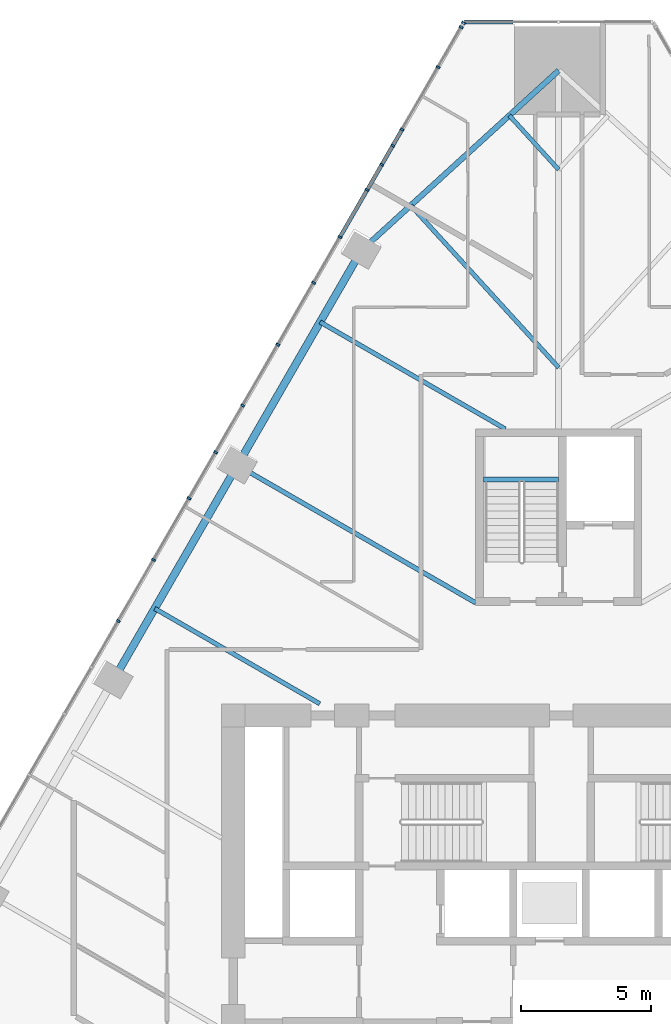
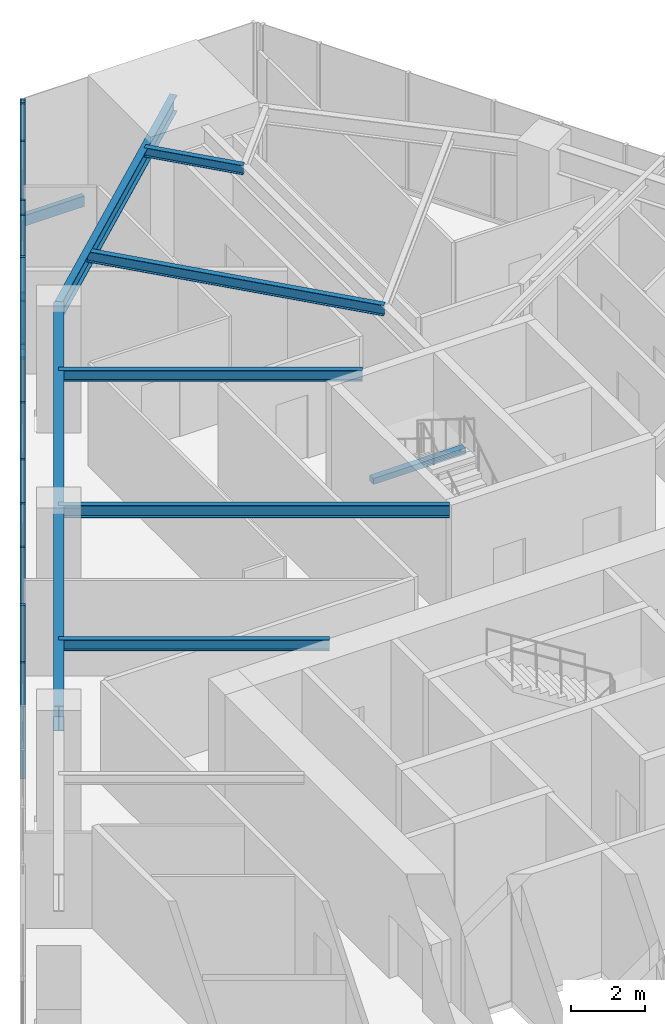
# One storey, part 8 of 29: 17 members, 8 beams, 2 elements without a shape of their own.
"""IFC4 building model written with IfcOpenShell, lengths in metres."""

from ifc_helpers import new_model, si_unit, direction, frame, origin, origin_2d, place, context, subcontext, project, spatial, rectangle, i_section, extrude, material, layer, layer_set, material_profile, profile_set, type_object, element, aggregate, save


model = new_model("IFC4")

# Units and contexts
model_context = context("Model", 3, precision=1e-05, world=origin(), true_north=direction((0.0, 1.0)))
body_context = subcontext(model_context, "Body", "Model", "MODEL_VIEW")
ifc_project = project(units=[si_unit("LENGTHUNIT", "METRE"), si_unit("AREAUNIT", "SQUARE_METRE"), si_unit("VOLUMEUNIT", "CUBIC_METRE"), si_unit("PLANEANGLEUNIT", "RADIAN"), si_unit("MASSUNIT", "GRAM", prefix="KILO")], contexts=[model_context])

# Site, building, storey
site_placement = place(None, origin())
site = spatial("IfcSite", under=ifc_project, at=site_placement, CompositionType="ELEMENT")
building_placement = place(site_placement, origin())
building = spatial("IfcBuilding", under=site, at=building_placement, Name="Firuza Gate Tower and Library", CompositionType="ELEMENT")
storey_placement = place(building_placement, frame((0.0, 0.0, 48.39990234375)))
storey = spatial("IfcBuildingStorey", under=building, at=storey_placement, Name="L10", CompositionType="ELEMENT", Elevation=48.39990234375)

# Curtain wall, members
ifc_material_1 = material(Name="Aluminium 6063-T6", Category="aluminium")
ifc_layer_1 = layer(ifc_material_1, 0.14990234375)
ifc_layer_set_1 = layer_set([ifc_layer_1], Name="Unitised curtain wall, offices")
curtain_wall_type_1 = type_object("IfcCurtainWallType", Name="Unitised curtain wall, offices", PredefinedType="NOTDEFINED", material=ifc_layer_set_1)
placement = place(storey_placement, origin())
curtain_wall_1 = element("IfcCurtainWall", 1, at=placement, inside=storey, type_object=curtain_wall_type_1, Name="CW1 L10 W face", PredefinedType="NOTDEFINED")
ifc_material_2 = material(Name="Aluminium 6063-T6", Category="aluminium")
ifc_material_profile_1 = material_profile(ifc_material_2, rectangle(XDim=0.14990234375, YDim=0.080078125, at=origin_2d()))
ifc_profile_set_1 = profile_set([ifc_material_profile_1], Name="Aluminium 6063-T6")
member_type_1 = type_object("IfcMemberType", Name="Curtain wall mullion 80x150", PredefinedType="MULLION", material=ifc_profile_set_1)
member_1_placement = place(storey_placement, frame((71.336669921875, 110.2607421875, 0.150146484375), z_axis=(0.0, 0.0, 1.0), x_axis=(0.866025403784, -0.5, 0.0)))
member_1 = element("IfcMember", 2, at=member_1_placement, type_object=member_type_1, Name="Mullion", PredefinedType="MULLION", context=body_context, shape_type="SweptSolid", body=[
    extrude(rectangle(XDim=0.14990234375, YDim=0.080078125, at=origin_2d()), origin(), (0.0, 0.0, 1.0), 3.849853515625),
])
member_2_placement = place(storey_placement, frame((68.961181640625, 106.146240234375, 0.150146484375), z_axis=(0.0, 0.0, 1.0), x_axis=(0.866025403784, -0.5, 0.0)))
member_2 = element("IfcMember", 3, at=member_2_placement, type_object=member_type_1, Name="Mullion", PredefinedType="MULLION", context=body_context, shape_type="SweptSolid", body=[
    extrude(rectangle(XDim=0.14990234375, YDim=0.080078125, at=origin_2d()), origin(), (0.0, 0.0, 1.0), 3.849853515625),
])
member_3_placement = place(storey_placement, frame((66.56591796875, 101.997314453125, 0.150146484375), z_axis=(0.0, 0.0, 1.0), x_axis=(0.866025403784, -0.5, 0.0)))
member_3 = element("IfcMember", 4, at=member_3_placement, type_object=member_type_1, Name="Mullion", PredefinedType="MULLION", context=body_context, shape_type="SweptSolid", body=[
    extrude(rectangle(XDim=0.14990234375, YDim=0.080078125, at=origin_2d()), origin(), (0.0, 0.0, 1.0), 3.849853515625),
])
member_4_placement = place(storey_placement, frame((64.17041015625, 97.848388671875, 0.150146484375), z_axis=(0.0, 0.0, 1.0), x_axis=(0.866025403784, -0.5, 0.0)))
member_4 = element("IfcMember", 5, at=member_4_placement, type_object=member_type_1, Name="Mullion", PredefinedType="MULLION", context=body_context, shape_type="SweptSolid", body=[
    extrude(rectangle(XDim=0.14990234375, YDim=0.080078125, at=origin_2d()), origin(), (0.0, 0.0, 1.0), 3.849853515625),
])
member_5_placement = place(storey_placement, frame((61.775146484375, 93.699462890625, 0.150146484375), z_axis=(0.0, 0.0, 1.0), x_axis=(0.866025403784, -0.5, 0.0)))
member_5 = element("IfcMember", 6, at=member_5_placement, type_object=member_type_1, Name="Mullion", PredefinedType="MULLION", context=body_context, shape_type="SweptSolid", body=[
    extrude(rectangle(XDim=0.14990234375, YDim=0.080078125, at=origin_2d()), origin(), (0.0, 0.0, 1.0), 3.849853515625),
])
member_6_placement = place(storey_placement, frame((59.379638671875, 89.55029296875, 0.150146484375), z_axis=(0.0, 0.0, 1.0), x_axis=(0.866025403784, -0.5, 0.0)))
member_6 = element("IfcMember", 7, at=member_6_placement, type_object=member_type_1, Name="Mullion", PredefinedType="MULLION", context=body_context, shape_type="SweptSolid", body=[
    extrude(rectangle(XDim=0.14990234375, YDim=0.080078125, at=origin_2d()), origin(), (0.0, 0.0, 1.0), 3.849853515625),
])
member_7_placement = place(storey_placement, frame((71.240234375, 110.09375, 0.150146484375), z_axis=(0.0, 0.0, 1.0), x_axis=(0.866025403784, -0.5, 0.0)))
member_7 = element("IfcMember", 8, at=member_7_placement, type_object=member_type_1, Name="Mullion", PredefinedType="MULLION", context=body_context, shape_type="SweptSolid", body=[
    extrude(rectangle(XDim=0.14990234375, YDim=0.080078125, at=origin_2d()), origin(), (0.0, 0.0, 1.0), 3.849853515625),
])
member_8_placement = place(storey_placement, frame((70.35107421875, 108.5537109375, 0.150146484375), z_axis=(0.0, 0.0, 1.0), x_axis=(0.866025403784, -0.5, 0.0)))
member_8 = element("IfcMember", 9, at=member_8_placement, type_object=member_type_1, Name="Mullion", PredefinedType="MULLION", context=body_context, shape_type="SweptSolid", body=[
    extrude(rectangle(XDim=0.14990234375, YDim=0.080078125, at=origin_2d()), origin(), (0.0, 0.0, 1.0), 3.849853515625),
])
member_9_placement = place(storey_placement, frame((68.1787109375, 104.790771484375, 0.150146484375), z_axis=(0.0, 0.0, 1.0), x_axis=(0.866025403784, -0.5, 0.0)))
member_9 = element("IfcMember", 10, at=member_9_placement, type_object=member_type_1, Name="Mullion", PredefinedType="MULLION", context=body_context, shape_type="SweptSolid", body=[
    extrude(rectangle(XDim=0.14990234375, YDim=0.080078125, at=origin_2d()), origin(), (0.0, 0.0, 1.0), 1.885009765625),
])
member_10_placement = place(storey_placement, frame((68.60400390625, 105.52734375, 2.114990234375), z_axis=(0.0, 0.0, 1.0), x_axis=(0.866025403784, -0.5, 0.0)))
member_10 = element("IfcMember", 11, at=member_10_placement, type_object=member_type_1, Name="Mullion", PredefinedType="MULLION", context=body_context, shape_type="SweptSolid", body=[
    extrude(rectangle(XDim=0.14990234375, YDim=0.080078125, at=origin_2d()), origin(), (0.0, 0.0, 1.0), 1.885009765625),
])
member_11_placement = place(storey_placement, frame((67.6171875, 103.818359375, 2.114990234375), z_axis=(0.0, 0.0, 1.0), x_axis=(0.866025403784, -0.5, 0.0)))
member_11 = element("IfcMember", 12, at=member_11_placement, type_object=member_type_1, Name="Mullion", PredefinedType="MULLION", context=body_context, shape_type="SweptSolid", body=[
    extrude(rectangle(XDim=0.14990234375, YDim=0.080078125, at=origin_2d()), origin(), (0.0, 0.0, 1.0), 1.885009765625),
])
member_12_placement = place(storey_placement, frame((65.551025390625, 100.23974609375, 0.150146484375), z_axis=(0.0, 0.0, 1.0), x_axis=(0.866025403784, -0.5, 0.0)))
member_12 = element("IfcMember", 13, at=member_12_placement, type_object=member_type_1, Name="Mullion", PredefinedType="MULLION", context=body_context, shape_type="SweptSolid", body=[
    extrude(rectangle(XDim=0.14990234375, YDim=0.080078125, at=origin_2d()), origin(), (0.0, 0.0, 1.0), 3.849853515625),
])
member_13_placement = place(storey_placement, frame((62.8173828125, 95.504638671875, 0.150146484375), z_axis=(0.0, 0.0, 1.0), x_axis=(0.866025403784, -0.5, 0.0)))
member_13 = element("IfcMember", 14, at=member_13_placement, type_object=member_type_1, Name="Mullion", PredefinedType="MULLION", context=body_context, shape_type="SweptSolid", body=[
    extrude(rectangle(XDim=0.14990234375, YDim=0.080078125, at=origin_2d()), origin(), (0.0, 0.0, 1.0), 3.849853515625),
])
member_14_placement = place(storey_placement, frame((60.751220703125, 91.926025390625, 0.150146484375), z_axis=(0.0, 0.0, 1.0), x_axis=(0.866025403784, -0.5, 0.0)))
member_14 = element("IfcMember", 15, at=member_14_placement, type_object=member_type_1, Name="Mullion", PredefinedType="MULLION", context=body_context, shape_type="SweptSolid", body=[
    extrude(rectangle(XDim=0.14990234375, YDim=0.080078125, at=origin_2d()), origin(), (0.0, 0.0, 1.0), 3.849853515625),
])
member_15_placement = place(storey_placement, frame((58.017333984375, 87.190673828125, 0.150146484375), z_axis=(0.0, 0.0, 1.0), x_axis=(0.866025403784, -0.5, 0.0)))
member_15 = element("IfcMember", 16, at=member_15_placement, type_object=member_type_1, Name="Mullion", PredefinedType="MULLION", context=body_context, shape_type="SweptSolid", body=[
    extrude(rectangle(XDim=0.14990234375, YDim=0.080078125, at=origin_2d()), origin(), (0.0, 0.0, 1.0), 3.849853515625),
])

# Curtain wall, member
ifc_material_3 = material(Name="Aluminium 6063-T6", Category="aluminium")
ifc_layer_2 = layer(ifc_material_3, 0.14990234375)
ifc_layer_set_2 = layer_set([ifc_layer_2], Name="Corner curtain wall, chamfers")
curtain_wall_type_2 = type_object("IfcCurtainWallType", Name="Corner curtain wall, chamfers", PredefinedType="NOTDEFINED", material=ifc_layer_set_2)
curtain_wall_2 = element("IfcCurtainWall", 17, at=placement, inside=storey, type_object=curtain_wall_type_2, Name="CW4 L10 N corner", PredefinedType="NOTDEFINED")
ifc_material_4 = material(Name="Aluminium 6063-T6", Category="aluminium")
ifc_material_profile_2 = material_profile(ifc_material_4, rectangle(XDim=0.14990234375, YDim=0.35009765625, at=origin_2d()))
ifc_profile_set_2 = profile_set([ifc_material_profile_2], Name="Aluminium 6063-T6")
member_type_2 = type_object("IfcMemberType", Name="Curtain wall transom 350x150", PredefinedType="USERDEFINED", material=ifc_profile_set_2)
member_16_placement = place(storey_placement, frame((73.248779296875, 110.29541015625, -0.02490234375), z_axis=(-1.0, 0.0, 0.0), x_axis=(0.0, -1.0, 0.0)))
member_16 = element("IfcMember", 18, at=member_16_placement, type_object=member_type_2, Name="Transom", ObjectType="TRANSOM", PredefinedType="USERDEFINED", context=body_context, shape_type="SweptSolid", body=[
    extrude(rectangle(XDim=0.14990234375, YDim=0.35009765625, at=origin_2d()), origin(), (0.0, 0.0, 1.0), 1.89208984375),
])
aggregate(curtain_wall_2, [member_16])

# Member
ifc_material_5 = material(Name="Aluminium 6063-T6", Category="aluminium")
ifc_material_profile_3 = material_profile(ifc_material_5, rectangle(XDim=0.14990234375, YDim=0.080078125, at=origin_2d()))
ifc_profile_set_3 = profile_set([ifc_material_profile_3], Name="Aluminium 6063-T6")
member_type_3 = type_object("IfcMemberType", Name="Curtain wall transom 80x150", PredefinedType="USERDEFINED", material=ifc_profile_set_3)
member_17_placement = place(storey_placement, frame((68.941162109375, 106.111572265625, 2.0751953125), z_axis=(-0.499979670606, -0.866037140647, 0.0), x_axis=(0.866037140647, -0.499979670606, 0.0)))
member_17 = element("IfcMember", 19, at=member_17_placement, type_object=member_type_3, Name="Transom", ObjectType="TRANSOM", PredefinedType="USERDEFINED", context=body_context, shape_type="SweptSolid", body=[
    extrude(rectangle(XDim=0.14990234375, YDim=0.080078125, at=origin_2d()), origin(), (0.0, 0.0, 1.0), 4.710693359375),
])

aggregate(curtain_wall_1, [member_1, member_2, member_3, member_4, member_5, member_6, member_7, member_8, member_9, member_10, member_11, member_17, member_12, member_13, member_14, member_15])

# Beams
ifc_material_6 = material(Name="Concrete C35/45", Category="concrete")
ifc_material_profile_4 = material_profile(ifc_material_6, rectangle(XDim=0.199951171875, YDim=0.199951171875, at=origin_2d()))
ifc_profile_set_4 = profile_set([ifc_material_profile_4], Name="Concrete C35/45")
beam_type_1 = type_object("IfcBeamType", Name="Stair landing bearer 200x200", PredefinedType="BEAM", material=ifc_profile_set_4)
beam_1_placement = place(storey_placement, frame((75.0, 92.64990234375, 1.800048828125), z_axis=(-1.0, 0.0, 0.0), x_axis=(0.0, -1.0, 0.0)))
element("IfcBeam", 20, at=beam_1_placement, inside=storey, type_object=beam_type_1, Name="Landing bearer L10 stair 3", PredefinedType="BEAM", context=body_context, shape_type="SweptSolid", body=[
    extrude(rectangle(XDim=0.199951171875, YDim=0.199951171875, at=origin_2d()), origin(), (0.0, 0.0, 1.0), 2.89990234375),
])
ifc_material_7 = material(Name="Steel S355", Category="steel")
ifc_material_profile_5 = material_profile(ifc_material_7, i_section(OverallWidth=0.1650390625, OverallDepth=0.31005859375, WebThickness=0.005859375, FlangeThickness=0.009765625, at=origin_2d()))
ifc_profile_set_5 = profile_set([ifc_material_profile_5], Name="Steel S355")
beam_type_2 = type_object("IfcBeamType", Name="W310x39 Floor beam", PredefinedType="JOIST", material=ifc_profile_set_5)
beam_2_placement = place(storey_placement, frame((73.098876953125, 106.6865234375, 3.84521484375), z_axis=(0.673865036235, -0.738854459917, 0.0), x_axis=(0.738854459917, 0.673865036235, 0.0)))
element("IfcBeam", 21, at=beam_2_placement, inside=storey, type_object=beam_type_2, Name="Floor beam L10 s70", PredefinedType="JOIST", context=body_context, shape_type="SweptSolid", body=[
    extrude(i_section(OverallWidth=0.1650390625, OverallDepth=0.31005859375, WebThickness=0.005859375, FlangeThickness=0.009765625, at=origin_2d()), origin(), (0.0, 0.0, 1.0), 2.8212890625),
])
ifc_material_8 = material(Name="Steel S355", Category="steel")
ifc_material_profile_6 = material_profile(ifc_material_8, i_section(OverallWidth=0.1708984375, OverallDepth=0.35498046875, WebThickness=0.007080078125, FlangeThickness=0.01171875, at=origin_2d()))
ifc_profile_set_6 = profile_set([ifc_material_profile_6], Name="Steel S355")
beam_type_3 = type_object("IfcBeamType", Name="W360x51 Floor beam", PredefinedType="JOIST", material=ifc_profile_set_6)
beam_3_placement = place(storey_placement, frame((69.296875, 103.21875, 3.822509765625), z_axis=(0.673863651071, -0.73885572324, 0.0), x_axis=(0.73885572324, 0.673863651071, 0.0)))
element("IfcBeam", 22, at=beam_3_placement, inside=storey, type_object=beam_type_3, Name="Floor beam L10 s71", PredefinedType="JOIST", context=body_context, shape_type="SweptSolid", body=[
    extrude(i_section(OverallWidth=0.1708984375, OverallDepth=0.35498046875, WebThickness=0.007080078125, FlangeThickness=0.01171875, at=origin_2d()), origin(), (0.0, 0.0, 1.0), 8.46337890625),
])
beam_4_placement = place(storey_placement, frame((65.80126953125, 98.72314453125, 3.822509765625), z_axis=(0.866026336112, -0.499998385158, 0.0), x_axis=(0.499998385158, 0.866026336112, 0.0)))
element("IfcBeam", 23, at=beam_4_placement, inside=storey, type_object=beam_type_3, Name="Floor beam L10 s80", PredefinedType="JOIST", context=body_context, shape_type="SweptSolid", body=[
    extrude(i_section(OverallWidth=0.1708984375, OverallDepth=0.35498046875, WebThickness=0.007080078125, FlangeThickness=0.01171875, at=origin_2d()), origin(), (0.0, 0.0, 1.0), 8.24609375),
])
beam_5_placement = place(storey_placement, frame((59.423095703125, 87.67578125, 3.822509765625), z_axis=(0.866027421574, -0.49999650507, 0.0), x_axis=(0.49999650507, 0.866027421574, 0.0)))
element("IfcBeam", 24, at=beam_5_placement, inside=storey, type_object=beam_type_3, Name="Floor beam L10 s82", PredefinedType="JOIST", context=body_context, shape_type="SweptSolid", body=[
    extrude(i_section(OverallWidth=0.1708984375, OverallDepth=0.35498046875, WebThickness=0.007080078125, FlangeThickness=0.01171875, at=origin_2d()), origin(), (0.0, 0.0, 1.0), 7.3515625),
])
ifc_material_9 = material(Name="Steel S355", Category="steel")
ifc_material_profile_7 = material_profile(ifc_material_9, i_section(OverallWidth=0.177978515625, OverallDepth=0.406982421875, WebThickness=0.0078125, FlangeThickness=0.0126953125, at=origin_2d()))
ifc_profile_set_7 = profile_set([ifc_material_profile_7], Name="Steel S355")
beam_type_4 = type_object("IfcBeamType", Name="W410x60 Floor beam", PredefinedType="JOIST", material=ifc_profile_set_7)
beam_6_placement = place(storey_placement, frame((62.6123046875, 93.199462890625, 3.796630859375), z_axis=(0.866019650973, -0.50000996403, 0.0), x_axis=(0.50000996403, 0.866019650973, 0.0)))
element("IfcBeam", 25, at=beam_6_placement, inside=storey, type_object=beam_type_4, Name="Floor beam L10 s81", PredefinedType="JOIST", context=body_context, shape_type="SweptSolid", body=[
    extrude(i_section(OverallWidth=0.177978515625, OverallDepth=0.406982421875, WebThickness=0.0078125, FlangeThickness=0.0126953125, at=origin_2d()), origin(), (0.0, 0.0, 1.0), 10.609130859375),
])
ifc_material_10 = material(Name="Steel S355", Category="steel")
ifc_material_profile_8 = material_profile(ifc_material_10, i_section(OverallWidth=0.212890625, OverallDepth=0.5390625, WebThickness=0.01171875, FlangeThickness=0.018798828125, at=origin_2d()))
ifc_profile_set_8 = profile_set([ifc_material_profile_8], Name="Steel S355")
beam_type_5 = type_object("IfcBeamType", Name="W530x109 Edge beam", PredefinedType="SPANDREL", material=ifc_profile_set_8)
beam_7_placement = place(storey_placement, frame((75.0, 108.42041015625, 3.730712890625), z_axis=(-0.738846416026, -0.673873855796, 0.0), x_axis=(0.673873855796, -0.738846416026, 0.0)))
element("IfcBeam", 26, at=beam_7_placement, inside=storey, type_object=beam_type_5, Name="Edge beam L10 e70", PredefinedType="SPANDREL", context=body_context, shape_type="SweptSolid", body=[
    extrude(i_section(OverallWidth=0.212890625, OverallDepth=0.5390625, WebThickness=0.01171875, FlangeThickness=0.018798828125, at=origin_2d()), origin(), (0.0, 0.0, 1.0), 10.2919921875),
])
ifc_material_11 = material(Name="Steel S355", Category="steel")
ifc_material_profile_9 = material_profile(ifc_material_11, i_section(OverallWidth=0.2919921875, OverallDepth=0.8349609375, WebThickness=0.013916015625, FlangeThickness=0.018798828125, at=origin_2d()))
ifc_profile_set_9 = profile_set([ifc_material_profile_9], Name="Steel S355")
beam_type_6 = type_object("IfcBeamType", Name="W840x176 Edge beam", PredefinedType="SPANDREL", material=ifc_profile_set_9)
beam_8_placement = place(storey_placement, frame((67.395751953125, 101.48486328125, 3.58251953125), z_axis=(-0.499993784471, -0.866028992292, 0.0), x_axis=(0.866028992292, -0.499993784471, 0.0)))
element("IfcBeam", 27, at=beam_8_placement, inside=storey, type_object=beam_type_6, Name="Edge beam L10 e80", PredefinedType="SPANDREL", context=body_context, shape_type="SweptSolid", body=[
    extrude(i_section(OverallWidth=0.2919921875, OverallDepth=0.8349609375, WebThickness=0.013916015625, FlangeThickness=0.018798828125, at=origin_2d()), origin(), (0.0, 0.0, 1.0), 19.134521484375),
])

save(model, "model.ifc")
